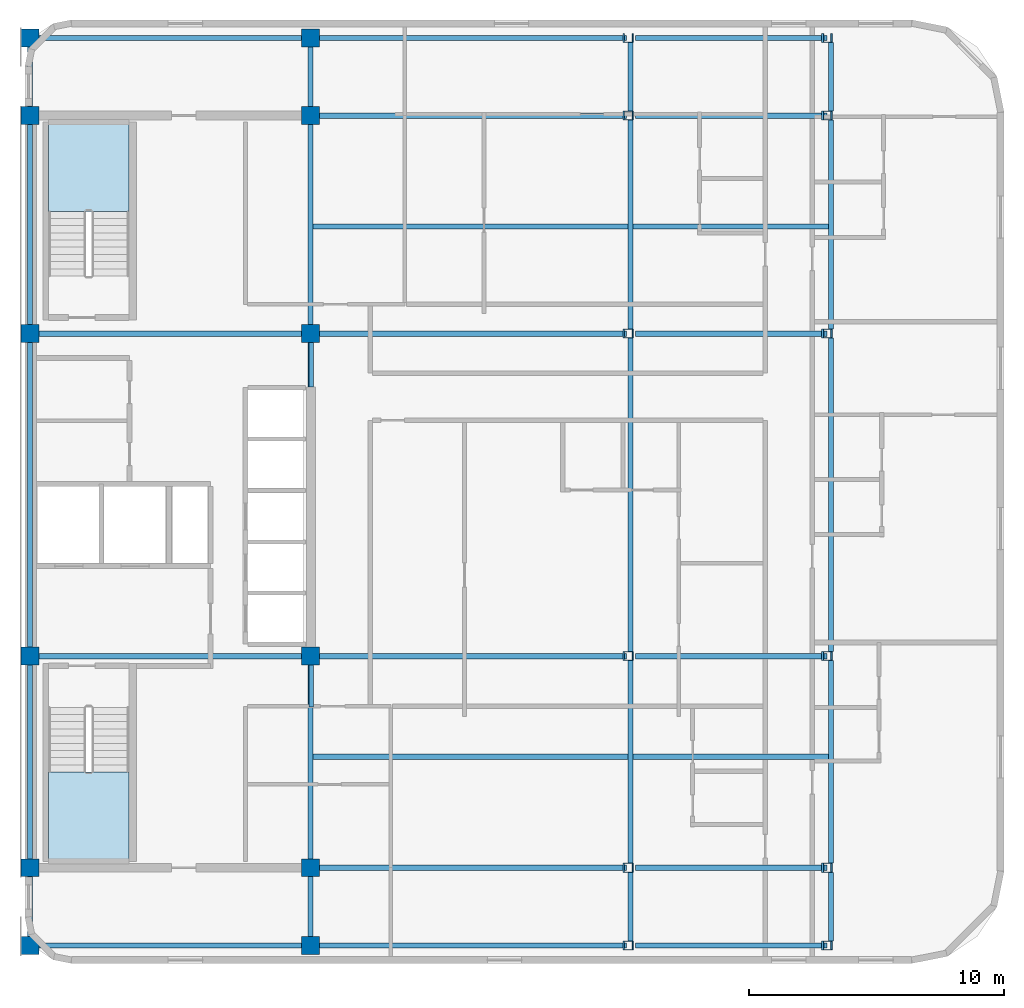
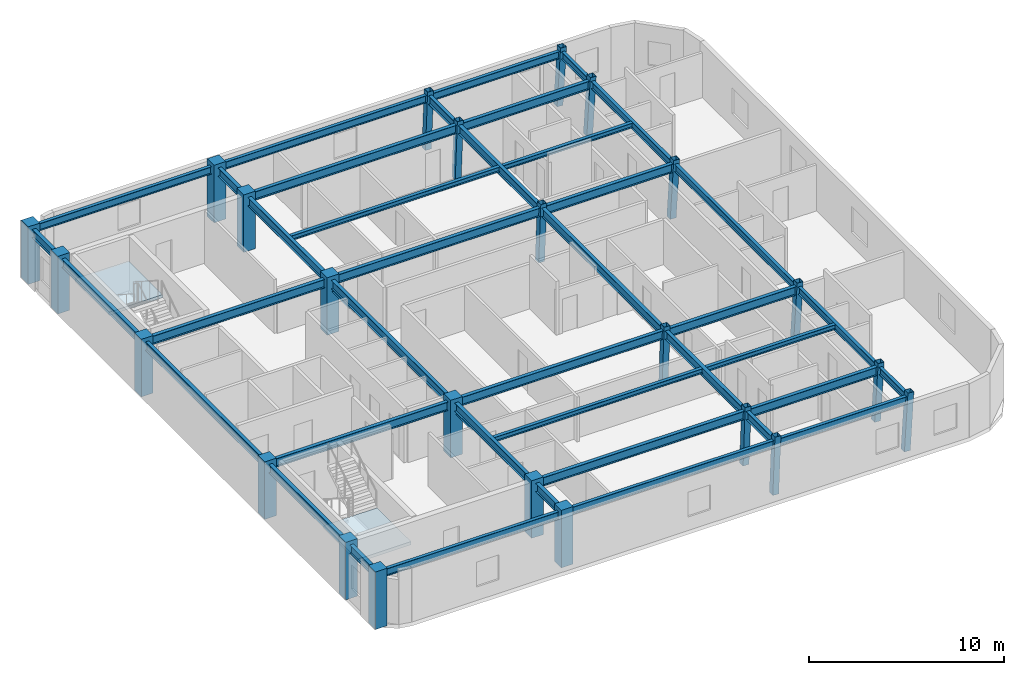
# One storey, part 1 of 6: 42 beams, 24 columns, 2 slabs, 2 elements without a shape of their own.
"""IFC4 building model written with IfcOpenShell, lengths in metres."""

from ifc_helpers import new_model, si_unit, direction, frame, origin, origin_2d, place, context, subcontext, project, spatial, polyline, rectangle, hollow_rectangle, i_section, outline, extrude, material, layer, layer_set, material_profile, profile_set, type_object, element, aggregate, save


model = new_model("IFC4")

# Units and contexts
model_context = context("Model", 3, precision=1e-05, world=origin(), true_north=direction((0.0, 1.0)))
body_context = subcontext(model_context, "Body", "Model", "MODEL_VIEW")
ifc_project = project(units=[si_unit("LENGTHUNIT", "METRE"), si_unit("AREAUNIT", "SQUARE_METRE"), si_unit("VOLUMEUNIT", "CUBIC_METRE"), si_unit("PLANEANGLEUNIT", "RADIAN"), si_unit("MASSUNIT", "GRAM", prefix="KILO")], contexts=[model_context])

# Site, building, storey
site_placement = place(None, origin())
site = spatial("IfcSite", under=ifc_project, at=site_placement, CompositionType="ELEMENT")
building_placement = place(site_placement, origin())
building = spatial("IfcBuilding", under=site, at=building_placement, Name="Ochreholt Gables", CompositionType="ELEMENT")
storey_placement = place(building_placement, frame((0.0, 0.0, 220.199951171875)))
storey = spatial("IfcBuildingStorey", under=building, at=storey_placement, Name="L57", CompositionType="ELEMENT", Elevation=220.199951171875)

# Columns
ifc_material_1 = material(Name="Steel CSA G40.21 350W", Category="steel")
ifc_material_profile_1 = material_profile(ifc_material_1, hollow_rectangle(XDim=0.35595703125, YDim=0.35595703125, WallThickness=0.01611328125, at=origin_2d()), Name="HSS356X356X16")
ifc_profile_set_1 = profile_set([ifc_material_profile_1], Name="Steel CSA G40.21 350W")
column_type_1 = type_object("IfcColumnType", Name="COL-HSS356-RAK", PredefinedType="COLUMN", material=ifc_profile_set_1)
for number, where, z_axis, x_axis, name in (
    (1, (47.64306640625, 9.25, 0.0), (0.034971136209, 0.0, 0.999388322742), (0.0, 1.0, 0.0), "L57 Column EMY2"),
    (2, (47.64306640625, 17.550048828125, 0.0), (0.034971136209, 0.0, 0.999388322742), (0.0, 1.0, 0.0), "L57 Column EMY3"),
    (3, (47.64306640625, 30.199951171875, 0.0), (0.034971136209, 0.0, 0.999388322742), (0.0, 1.0, 0.0), "L57 Column EMY4"),
    (4, (47.64306640625, 38.75, 0.0), (0.034971136209, 0.0, 0.999388322742), (0.0, 1.0, 0.0), "L57 Column EMY5"),
):
    element("IfcColumn", number, at=place(storey_placement, frame(where, z_axis=z_axis, x_axis=x_axis)), inside=storey, type_object=column_type_1, Name=name, PredefinedType="COLUMN", context=body_context, shape_type="SweptSolid", body=[
        extrude(hollow_rectangle(XDim=0.35595703125, YDim=0.35595703125, WallThickness=0.01611328125, at=origin_2d()), origin(), (0.0, 0.0, 1.0), 3.602294921875),
    ])
ifc_material_profile_2 = material_profile(ifc_material_1, hollow_rectangle(XDim=0.35595703125, YDim=0.35595703125, WallThickness=0.01611328125, at=origin_2d()), Name="HSS356X356X16")
ifc_profile_set_2 = profile_set([ifc_material_profile_2], Name="Steel CSA G40.21 350W")
column_type_2 = type_object("IfcColumnType", Name="COL-HSS356-RAKE", PredefinedType="COLUMN", material=ifc_profile_set_2)
for number, where, z_axis, x_axis, name in (
    (5, (47.64306640625, 6.199951171875, 0.0), (0.034971136209, 0.0, 0.999388322742), (0.0, 1.0, 0.0), "L57 Column EMY1"),
    (6, (47.64306640625, 41.800048828125, 0.0), (0.034971136209, 0.0, 0.999388322742), (0.0, 1.0, 0.0), "L57 Column EMY6"),
):
    element("IfcColumn", number, at=place(storey_placement, frame(where, z_axis=z_axis, x_axis=x_axis)), inside=storey, type_object=column_type_2, Name=name, PredefinedType="COLUMN", context=body_context, shape_type="SweptSolid", body=[
        extrude(hollow_rectangle(XDim=0.35595703125, YDim=0.35595703125, WallThickness=0.01611328125, at=origin_2d()), origin(), (0.0, 0.0, 1.0), 3.602294921875),
    ])
for number, where, z_axis, x_axis, name in (
    (7, (55.428466796875, 6.199951171875, 0.0), (0.057884606321, 0.0, 0.998323280481), (0.0, 1.0, 0.0), "L57 Column EEY1"),
    (8, (55.428466796875, 9.25, 0.0), (0.057884606321, 0.0, 0.998323280481), (0.0, 1.0, 0.0), "L57 Column EEY2"),
    (9, (55.428466796875, 17.550048828125, 0.0), (0.057884606321, 0.0, 0.998323280481), (0.0, 1.0, 0.0), "L57 Column EEY3"),
    (10, (55.428466796875, 30.199951171875, 0.0), (0.057884606321, 0.0, 0.998323280481), (0.0, 1.0, 0.0), "L57 Column EEY4"),
    (11, (55.428466796875, 38.75, 0.0), (0.057884606321, 0.0, 0.998323280481), (0.0, 1.0, 0.0), "L57 Column EEY5"),
    (12, (55.428466796875, 41.800048828125, 0.0), (0.057884606321, 0.0, 0.998323280481), (0.0, 1.0, 0.0), "L57 Column EEY6"),
):
    element("IfcColumn", number, at=place(storey_placement, frame(where, z_axis=z_axis, x_axis=x_axis)), inside=storey, type_object=column_type_2, Name=name, PredefinedType="COLUMN", context=body_context, shape_type="SweptSolid", body=[
        extrude(hollow_rectangle(XDim=0.35595703125, YDim=0.35595703125, WallThickness=0.01611328125, at=origin_2d()), origin(), (0.0, 0.0, 1.0), 3.606201171875),
    ])
ifc_material_2 = material(Name="Concrete 50 MPa", Category="concrete")
ifc_material_profile_3 = material_profile(ifc_material_2, rectangle(XDim=0.699951171875, YDim=0.699951171875, at=origin_2d()), Name="RC700X700")
ifc_profile_set_3 = profile_set([ifc_material_profile_3], Name="Concrete 50 MPa")
column_type_3 = type_object("IfcColumnType", Name="COL-RC700-EXT", PredefinedType="COLUMN", material=ifc_profile_set_3)
for number, where, z_axis, x_axis, name in (
    (13, (24.199951171875, 6.199951171875, 0.0), (0.0, 0.0, 1.0), (1.0, 0.0, 0.0), "L57 Column C1Y1"),
    (14, (24.199951171875, 9.25, 0.0), (0.0, 0.0, 1.0), (1.0, 0.0, 0.0), "L57 Column C1Y2"),
    (15, (24.199951171875, 17.550048828125, 0.0), (0.0, 0.0, 1.0), (1.0, 0.0, 0.0), "L57 Column C1Y3"),
    (16, (24.199951171875, 30.199951171875, 0.0), (0.0, 0.0, 1.0), (1.0, 0.0, 0.0), "L57 Column C1Y4"),
    (17, (24.199951171875, 38.75, 0.0), (0.0, 0.0, 1.0), (1.0, 0.0, 0.0), "L57 Column C1Y5"),
    (18, (24.199951171875, 41.800048828125, 0.0), (0.0, 0.0, 1.0), (1.0, 0.0, 0.0), "L57 Column C1Y6"),
    (19, (35.199951171875, 6.199951171875, 0.0), (0.0, 0.0, 1.0), (1.0, 0.0, 0.0), "L57 Column C2Y1"),
    (20, (35.199951171875, 41.800048828125, 0.0), (0.0, 0.0, 1.0), (1.0, 0.0, 0.0), "L57 Column C2Y6"),
):
    element("IfcColumn", number, at=place(storey_placement, frame(where, z_axis=z_axis, x_axis=x_axis)), inside=storey, type_object=column_type_3, Name=name, PredefinedType="COLUMN", context=body_context, shape_type="SweptSolid", body=[
        extrude(rectangle(XDim=0.699951171875, YDim=0.699951171875, at=origin_2d()), origin(), (0.0, 0.0, 1.0), 3.60009765625),
    ])
ifc_material_profile_4 = material_profile(ifc_material_2, rectangle(XDim=0.699951171875, YDim=0.699951171875, at=origin_2d()), Name="RC700X700")
ifc_profile_set_4 = profile_set([ifc_material_profile_4], Name="Concrete 50 MPa")
column_type_4 = type_object("IfcColumnType", Name="COL-RC700-INT", PredefinedType="COLUMN", material=ifc_profile_set_4)
for number, where, z_axis, x_axis, name in (
    (21, (35.199951171875, 9.25, 0.0), (0.0, 0.0, 1.0), (1.0, 0.0, 0.0), "L57 Column C2Y2"),
    (22, (35.199951171875, 17.550048828125, 0.0), (0.0, 0.0, 1.0), (1.0, 0.0, 0.0), "L57 Column C2Y3"),
    (23, (35.199951171875, 30.199951171875, 0.0), (0.0, 0.0, 1.0), (1.0, 0.0, 0.0), "L57 Column C2Y4"),
    (24, (35.199951171875, 38.75, 0.0), (0.0, 0.0, 1.0), (1.0, 0.0, 0.0), "L57 Column C2Y5"),
):
    element("IfcColumn", number, at=place(storey_placement, frame(where, z_axis=z_axis, x_axis=x_axis)), inside=storey, type_object=column_type_4, Name=name, PredefinedType="COLUMN", context=body_context, shape_type="SweptSolid", body=[
        extrude(rectangle(XDim=0.699951171875, YDim=0.699951171875, at=origin_2d()), origin(), (0.0, 0.0, 1.0), 3.60009765625),
    ])

# Beams
ifc_material_profile_5 = material_profile(ifc_material_1, i_section(OverallWidth=0.2109375, OverallDepth=0.5390625, WebThickness=0.01171875, FlangeThickness=0.018798828125, at=origin_2d()), Name="W530X109")
ifc_profile_set_5 = profile_set([ifc_material_profile_5], Name="Steel CSA G40.21 350W")
beam_type_1 = type_object("IfcBeamType", Name="BM-G-W530A", PredefinedType="BEAM", material=ifc_profile_set_5)
beam_1_placement = place(storey_placement, frame((35.549560546875, 9.25, 3.090576171875), z_axis=(1.0, 0.0, 0.0), x_axis=(0.0, 1.0, 0.0)))
element("IfcBeam", 25, at=beam_1_placement, inside=storey, type_object=beam_type_1, Name="L57 Beam TBG-L57-C2EM-Y2", PredefinedType="BEAM", context=body_context, shape_type="SweptSolid", body=[
    extrude(i_section(OverallWidth=0.2109375, OverallDepth=0.5390625, WebThickness=0.01171875, FlangeThickness=0.018798828125, at=origin_2d()), origin(), (0.0, 0.0, 1.0), 12.041748046875),
])
beam_2_placement = place(storey_placement, frame((47.946533203125, 9.25, 3.090576171875), z_axis=(1.0, 0.0, 0.0), x_axis=(0.0, 1.0, 0.0)))
element("IfcBeam", 26, at=beam_2_placement, inside=storey, type_object=beam_type_1, Name="L57 Beam TBG-L57-EMEE-Y2", PredefinedType="BEAM", context=body_context, shape_type="SweptSolid", body=[
    extrude(i_section(OverallWidth=0.2109375, OverallDepth=0.5390625, WebThickness=0.01171875, FlangeThickness=0.018798828125, at=origin_2d()), origin(), (0.0, 0.0, 1.0), 7.51318359375),
])
beam_3_placement = place(storey_placement, frame((24.549560546875, 17.550048828125, 3.090576171875), z_axis=(1.0, 0.0, 0.0), x_axis=(0.0, 1.0, 0.0)))
element("IfcBeam", 27, at=beam_3_placement, inside=storey, type_object=beam_type_1, Name="L57 Beam TBG-L57-C1C2-Y3", PredefinedType="BEAM", context=body_context, shape_type="SweptSolid", body=[
    extrude(i_section(OverallWidth=0.2109375, OverallDepth=0.5390625, WebThickness=0.01171875, FlangeThickness=0.018798828125, at=origin_2d()), origin(), (0.0, 0.0, 1.0), 10.30078125),
])
beam_4_placement = place(storey_placement, frame((35.549560546875, 17.550048828125, 3.090576171875), z_axis=(1.0, 0.0, 0.0), x_axis=(0.0, 1.0, 0.0)))
element("IfcBeam", 28, at=beam_4_placement, inside=storey, type_object=beam_type_1, Name="L57 Beam TBG-L57-C2EM-Y3", PredefinedType="BEAM", context=body_context, shape_type="SweptSolid", body=[
    extrude(i_section(OverallWidth=0.2109375, OverallDepth=0.5390625, WebThickness=0.01171875, FlangeThickness=0.018798828125, at=origin_2d()), origin(), (0.0, 0.0, 1.0), 12.041748046875),
])
beam_5_placement = place(storey_placement, frame((47.946533203125, 17.550048828125, 3.090576171875), z_axis=(1.0, 0.0, 0.0), x_axis=(0.0, 1.0, 0.0)))
element("IfcBeam", 29, at=beam_5_placement, inside=storey, type_object=beam_type_1, Name="L57 Beam TBG-L57-EMEE-Y3", PredefinedType="BEAM", context=body_context, shape_type="SweptSolid", body=[
    extrude(i_section(OverallWidth=0.2109375, OverallDepth=0.5390625, WebThickness=0.01171875, FlangeThickness=0.018798828125, at=origin_2d()), origin(), (0.0, 0.0, 1.0), 7.51318359375),
])
beam_6_placement = place(storey_placement, frame((24.549560546875, 30.199951171875, 3.090576171875), z_axis=(1.0, 0.0, 0.0), x_axis=(0.0, 1.0, 0.0)))
element("IfcBeam", 30, at=beam_6_placement, inside=storey, type_object=beam_type_1, Name="L57 Beam TBG-L57-C1C2-Y4", PredefinedType="BEAM", context=body_context, shape_type="SweptSolid", body=[
    extrude(i_section(OverallWidth=0.2109375, OverallDepth=0.5390625, WebThickness=0.01171875, FlangeThickness=0.018798828125, at=origin_2d()), origin(), (0.0, 0.0, 1.0), 10.30078125),
])
beam_7_placement = place(storey_placement, frame((35.549560546875, 30.199951171875, 3.090576171875), z_axis=(1.0, 0.0, 0.0), x_axis=(0.0, 1.0, 0.0)))
element("IfcBeam", 31, at=beam_7_placement, inside=storey, type_object=beam_type_1, Name="L57 Beam TBG-L57-C2EM-Y4", PredefinedType="BEAM", context=body_context, shape_type="SweptSolid", body=[
    extrude(i_section(OverallWidth=0.2109375, OverallDepth=0.5390625, WebThickness=0.01171875, FlangeThickness=0.018798828125, at=origin_2d()), origin(), (0.0, 0.0, 1.0), 12.041748046875),
])
beam_8_placement = place(storey_placement, frame((47.946533203125, 30.199951171875, 3.090576171875), z_axis=(1.0, 0.0, 0.0), x_axis=(0.0, 1.0, 0.0)))
element("IfcBeam", 32, at=beam_8_placement, inside=storey, type_object=beam_type_1, Name="L57 Beam TBG-L57-EMEE-Y4", PredefinedType="BEAM", context=body_context, shape_type="SweptSolid", body=[
    extrude(i_section(OverallWidth=0.2109375, OverallDepth=0.5390625, WebThickness=0.01171875, FlangeThickness=0.018798828125, at=origin_2d()), origin(), (0.0, 0.0, 1.0), 7.51318359375),
])
beam_9_placement = place(storey_placement, frame((35.549560546875, 38.75, 3.090576171875), z_axis=(1.0, 0.0, 0.0), x_axis=(0.0, 1.0, 0.0)))
element("IfcBeam", 33, at=beam_9_placement, inside=storey, type_object=beam_type_1, Name="L57 Beam TBG-L57-C2EM-Y5", PredefinedType="BEAM", context=body_context, shape_type="SweptSolid", body=[
    extrude(i_section(OverallWidth=0.2109375, OverallDepth=0.5390625, WebThickness=0.01171875, FlangeThickness=0.018798828125, at=origin_2d()), origin(), (0.0, 0.0, 1.0), 12.041748046875),
])
beam_10_placement = place(storey_placement, frame((47.946533203125, 38.75, 3.090576171875), z_axis=(1.0, 0.0, 0.0), x_axis=(0.0, 1.0, 0.0)))
element("IfcBeam", 34, at=beam_10_placement, inside=storey, type_object=beam_type_1, Name="L57 Beam TBG-L57-EMEE-Y5", PredefinedType="BEAM", context=body_context, shape_type="SweptSolid", body=[
    extrude(i_section(OverallWidth=0.2109375, OverallDepth=0.5390625, WebThickness=0.01171875, FlangeThickness=0.018798828125, at=origin_2d()), origin(), (0.0, 0.0, 1.0), 7.51318359375),
])
beam_11_placement = place(storey_placement, frame((24.199951171875, 6.549560546875, 3.090576171875), z_axis=(0.0, 1.0, 0.0), x_axis=(-1.0, 0.0, 0.0)))
element("IfcBeam", 35, at=beam_11_placement, inside=storey, type_object=beam_type_1, Name="L57 Beam TBN-L57-C1-Y1Y2", PredefinedType="BEAM", context=body_context, shape_type="SweptSolid", body=[
    extrude(i_section(OverallWidth=0.2109375, OverallDepth=0.5390625, WebThickness=0.01171875, FlangeThickness=0.018798828125, at=origin_2d()), origin(), (0.0, 0.0, 1.0), 2.350830078125),
])
beam_12_placement = place(storey_placement, frame((24.199951171875, 9.599609375, 3.090576171875), z_axis=(0.0, 1.0, 0.0), x_axis=(-1.0, 0.0, 0.0)))
element("IfcBeam", 36, at=beam_12_placement, inside=storey, type_object=beam_type_1, Name="L57 Beam TBN-L57-C1-Y2Y3", PredefinedType="BEAM", context=body_context, shape_type="SweptSolid", body=[
    extrude(i_section(OverallWidth=0.2109375, OverallDepth=0.5390625, WebThickness=0.01171875, FlangeThickness=0.018798828125, at=origin_2d()), origin(), (0.0, 0.0, 1.0), 7.600830078125),
])
beam_13_placement = place(storey_placement, frame((24.199951171875, 17.899658203125, 3.090576171875), z_axis=(0.0, 1.0, 0.0), x_axis=(-1.0, 0.0, 0.0)))
element("IfcBeam", 37, at=beam_13_placement, inside=storey, type_object=beam_type_1, Name="L57 Beam TBN-L57-C1-Y3Y4", PredefinedType="BEAM", context=body_context, shape_type="SweptSolid", body=[
    extrude(i_section(OverallWidth=0.2109375, OverallDepth=0.5390625, WebThickness=0.01171875, FlangeThickness=0.018798828125, at=origin_2d()), origin(), (0.0, 0.0, 1.0), 11.95068359375),
])
beam_14_placement = place(storey_placement, frame((24.199951171875, 30.549560546875, 3.090576171875), z_axis=(0.0, 1.0, 0.0), x_axis=(-1.0, 0.0, 0.0)))
element("IfcBeam", 38, at=beam_14_placement, inside=storey, type_object=beam_type_1, Name="L57 Beam TBN-L57-C1-Y4Y5", PredefinedType="BEAM", context=body_context, shape_type="SweptSolid", body=[
    extrude(i_section(OverallWidth=0.2109375, OverallDepth=0.5390625, WebThickness=0.01171875, FlangeThickness=0.018798828125, at=origin_2d()), origin(), (0.0, 0.0, 1.0), 7.850830078125),
])
for number, where, z_axis, x_axis, name in (
    (39, (24.199951171875, 39.099609375, 3.090576171875), (0.0, 1.0, 0.0), (-1.0, 0.0, 0.0), "L57 Beam TBN-L57-C1-Y5Y6"),
    (40, (35.199951171875, 6.549560546875, 3.090576171875), (0.0, 1.0, 0.0), (-1.0, 0.0, 0.0), "L57 Beam TBN-L57-C2-Y1Y2"),
):
    element("IfcBeam", number, at=place(storey_placement, frame(where, z_axis=z_axis, x_axis=x_axis)), inside=storey, type_object=beam_type_1, Name=name, PredefinedType="BEAM", context=body_context, shape_type="SweptSolid", body=[
        extrude(i_section(OverallWidth=0.2109375, OverallDepth=0.5390625, WebThickness=0.01171875, FlangeThickness=0.018798828125, at=origin_2d()), origin(), (0.0, 0.0, 1.0), 2.350830078125),
    ])
beam_15_placement = place(storey_placement, frame((35.199951171875, 9.599609375, 3.090576171875), z_axis=(0.0, 1.0, 0.0), x_axis=(-1.0, 0.0, 0.0)))
element("IfcBeam", 41, at=beam_15_placement, inside=storey, type_object=beam_type_1, Name="L57 Beam TBN-L57-C2-Y2Y3", PredefinedType="BEAM", context=body_context, shape_type="SweptSolid", body=[
    extrude(i_section(OverallWidth=0.2109375, OverallDepth=0.5390625, WebThickness=0.01171875, FlangeThickness=0.018798828125, at=origin_2d()), origin(), (0.0, 0.0, 1.0), 7.600830078125),
])
beam_16_placement = place(storey_placement, frame((35.199951171875, 17.899658203125, 3.090576171875), z_axis=(0.0, 1.0, 0.0), x_axis=(-1.0, 0.0, 0.0)))
element("IfcBeam", 42, at=beam_16_placement, inside=storey, type_object=beam_type_1, Name="L57 Beam TBN-L57-C2-Y3Y4", PredefinedType="BEAM", context=body_context, shape_type="SweptSolid", body=[
    extrude(i_section(OverallWidth=0.2109375, OverallDepth=0.5390625, WebThickness=0.01171875, FlangeThickness=0.018798828125, at=origin_2d()), origin(), (0.0, 0.0, 1.0), 11.95068359375),
])
beam_17_placement = place(storey_placement, frame((35.199951171875, 30.549560546875, 3.090576171875), z_axis=(0.0, 1.0, 0.0), x_axis=(-1.0, 0.0, 0.0)))
element("IfcBeam", 43, at=beam_17_placement, inside=storey, type_object=beam_type_1, Name="L57 Beam TBN-L57-C2-Y4Y5", PredefinedType="BEAM", context=body_context, shape_type="SweptSolid", body=[
    extrude(i_section(OverallWidth=0.2109375, OverallDepth=0.5390625, WebThickness=0.01171875, FlangeThickness=0.018798828125, at=origin_2d()), origin(), (0.0, 0.0, 1.0), 7.850830078125),
])
beam_18_placement = place(storey_placement, frame((35.199951171875, 39.099609375, 3.090576171875), z_axis=(0.0, 1.0, 0.0), x_axis=(-1.0, 0.0, 0.0)))
element("IfcBeam", 44, at=beam_18_placement, inside=storey, type_object=beam_type_1, Name="L57 Beam TBN-L57-C2-Y5Y6", PredefinedType="BEAM", context=body_context, shape_type="SweptSolid", body=[
    extrude(i_section(OverallWidth=0.2109375, OverallDepth=0.5390625, WebThickness=0.01171875, FlangeThickness=0.018798828125, at=origin_2d()), origin(), (0.0, 0.0, 1.0), 2.350830078125),
])
beam_19_placement = place(storey_placement, frame((47.751708984375, 6.377685546875, 3.090576171875), z_axis=(0.0, 1.0, 0.0), x_axis=(-1.0, 0.0, 0.0)))
element("IfcBeam", 45, at=beam_19_placement, inside=storey, type_object=beam_type_1, Name="L57 Beam TBN-L57-EM-Y1Y2", PredefinedType="BEAM", context=body_context, shape_type="SweptSolid", body=[
    extrude(i_section(OverallWidth=0.2109375, OverallDepth=0.5390625, WebThickness=0.01171875, FlangeThickness=0.018798828125, at=origin_2d()), origin(), (0.0, 0.0, 1.0), 2.69482421875),
])
beam_20_placement = place(storey_placement, frame((47.751708984375, 9.427490234375, 3.090576171875), z_axis=(0.0, 1.0, 0.0), x_axis=(-1.0, 0.0, 0.0)))
element("IfcBeam", 46, at=beam_20_placement, inside=storey, type_object=beam_type_1, Name="L57 Beam TBN-L57-EM-Y2Y3", PredefinedType="BEAM", context=body_context, shape_type="SweptSolid", body=[
    extrude(i_section(OverallWidth=0.2109375, OverallDepth=0.5390625, WebThickness=0.01171875, FlangeThickness=0.018798828125, at=origin_2d()), origin(), (0.0, 0.0, 1.0), 7.94482421875),
])
beam_21_placement = place(storey_placement, frame((47.751708984375, 17.7275390625, 3.090576171875), z_axis=(0.0, 1.0, 0.0), x_axis=(-1.0, 0.0, 0.0)))
element("IfcBeam", 47, at=beam_21_placement, inside=storey, type_object=beam_type_1, Name="L57 Beam TBN-L57-EM-Y3Y4", PredefinedType="BEAM", context=body_context, shape_type="SweptSolid", body=[
    extrude(i_section(OverallWidth=0.2109375, OverallDepth=0.5390625, WebThickness=0.01171875, FlangeThickness=0.018798828125, at=origin_2d()), origin(), (0.0, 0.0, 1.0), 12.294921875),
])
beam_22_placement = place(storey_placement, frame((47.751708984375, 30.377685546875, 3.090576171875), z_axis=(0.0, 1.0, 0.0), x_axis=(-1.0, 0.0, 0.0)))
element("IfcBeam", 48, at=beam_22_placement, inside=storey, type_object=beam_type_1, Name="L57 Beam TBN-L57-EM-Y4Y5", PredefinedType="BEAM", context=body_context, shape_type="SweptSolid", body=[
    extrude(i_section(OverallWidth=0.2109375, OverallDepth=0.5390625, WebThickness=0.01171875, FlangeThickness=0.018798828125, at=origin_2d()), origin(), (0.0, 0.0, 1.0), 8.19482421875),
])
beam_23_placement = place(storey_placement, frame((47.751708984375, 38.927490234375, 3.090576171875), z_axis=(0.0, 1.0, 0.0), x_axis=(-1.0, 0.0, 0.0)))
element("IfcBeam", 49, at=beam_23_placement, inside=storey, type_object=beam_type_1, Name="L57 Beam TBN-L57-EM-Y5Y6", PredefinedType="BEAM", context=body_context, shape_type="SweptSolid", body=[
    extrude(i_section(OverallWidth=0.2109375, OverallDepth=0.5390625, WebThickness=0.01171875, FlangeThickness=0.018798828125, at=origin_2d()), origin(), (0.0, 0.0, 1.0), 2.69482421875),
])
ifc_material_profile_6 = material_profile(ifc_material_1, i_section(OverallWidth=0.202880859375, OverallDepth=0.302978515625, WebThickness=0.007568359375, FlangeThickness=0.01318359375, at=origin_2d()), Name="W310X60")
ifc_profile_set_6 = profile_set([ifc_material_profile_6], Name="Steel CSA G40.21 350W")
beam_type_2 = type_object("IfcBeamType", Name="BM-J-W310", PredefinedType="JOIST", material=ifc_profile_set_6)
beam_24_placement = place(storey_placement, frame((35.30517578125, 13.60009765625, 3.20849609375), z_axis=(1.0, 0.0, 0.0), x_axis=(0.0, 1.0, 0.0)))
element("IfcBeam", 50, at=beam_24_placement, inside=storey, type_object=beam_type_2, Name="L57 Beam TBJ-L57-J1-C2EM", PredefinedType="JOIST", context=body_context, shape_type="SweptSolid", body=[
    extrude(i_section(OverallWidth=0.202880859375, OverallDepth=0.302978515625, WebThickness=0.007568359375, FlangeThickness=0.01318359375, at=origin_2d()), origin(), (0.0, 0.0, 1.0), 12.341552734375),
])
beam_25_placement = place(storey_placement, frame((47.85693359375, 13.60009765625, 3.20849609375), z_axis=(1.0, 0.0, 0.0), x_axis=(0.0, 1.0, 0.0)))
element("IfcBeam", 51, at=beam_25_placement, inside=storey, type_object=beam_type_2, Name="L57 Beam TBJ-L57-J1-EMEE", PredefinedType="JOIST", context=body_context, shape_type="SweptSolid", body=[
    extrude(i_section(OverallWidth=0.202880859375, OverallDepth=0.302978515625, WebThickness=0.007568359375, FlangeThickness=0.01318359375, at=origin_2d()), origin(), (0.0, 0.0, 1.0), 7.65625),
])
beam_26_placement = place(storey_placement, frame((35.30517578125, 34.39990234375, 3.20849609375), z_axis=(1.0, 0.0, 0.0), x_axis=(0.0, 1.0, 0.0)))
element("IfcBeam", 52, at=beam_26_placement, inside=storey, type_object=beam_type_2, Name="L57 Beam TBJ-L57-J2-C2EM", PredefinedType="JOIST", context=body_context, shape_type="SweptSolid", body=[
    extrude(i_section(OverallWidth=0.202880859375, OverallDepth=0.302978515625, WebThickness=0.007568359375, FlangeThickness=0.01318359375, at=origin_2d()), origin(), (0.0, 0.0, 1.0), 12.341552734375),
])
beam_27_placement = place(storey_placement, frame((47.85693359375, 34.39990234375, 3.20849609375), z_axis=(1.0, 0.0, 0.0), x_axis=(0.0, 1.0, 0.0)))
element("IfcBeam", 53, at=beam_27_placement, inside=storey, type_object=beam_type_2, Name="L57 Beam TBJ-L57-J2-EMEE", PredefinedType="JOIST", context=body_context, shape_type="SweptSolid", body=[
    extrude(i_section(OverallWidth=0.202880859375, OverallDepth=0.302978515625, WebThickness=0.007568359375, FlangeThickness=0.01318359375, at=origin_2d()), origin(), (0.0, 0.0, 1.0), 7.65625),
])
ifc_material_profile_7 = material_profile(ifc_material_1, i_section(OverallWidth=0.1650390625, OverallDepth=0.200927734375, WebThickness=0.006103515625, FlangeThickness=0.01025390625, at=origin_2d()), Name="W200X36")
ifc_profile_set_7 = profile_set([ifc_material_profile_7], Name="Steel CSA G40.21 350W")
beam_type_3 = type_object("IfcBeamType", Name="BM-LIN-W200", PredefinedType="LINTEL", material=ifc_profile_set_7)
beam_28_placement = place(storey_placement, frame((35.22509765625, 15.550048828125, 2.720458984375), z_axis=(0.0, 1.0, 0.0), x_axis=(-1.0, 0.0, 0.0)))
element("IfcBeam", 54, at=beam_28_placement, inside=storey, type_object=beam_type_3, Name="L57 Core Coupling Lintel CPS", PredefinedType="LINTEL", context=body_context, shape_type="SweptSolid", body=[
    extrude(i_section(OverallWidth=0.1650390625, OverallDepth=0.200927734375, WebThickness=0.006103515625, FlangeThickness=0.01025390625, at=origin_2d()), origin(), (0.0, 0.0, 1.0), 1.64990234375),
])
beam_29_placement = place(storey_placement, frame((35.22509765625, 28.10009765625, 2.720458984375), z_axis=(0.0, 1.0, 0.0), x_axis=(-1.0, 0.0, 0.0)))
element("IfcBeam", 55, at=beam_29_placement, inside=storey, type_object=beam_type_3, Name="L57 Core Coupling Lintel CPN", PredefinedType="LINTEL", context=body_context, shape_type="SweptSolid", body=[
    extrude(i_section(OverallWidth=0.1650390625, OverallDepth=0.200927734375, WebThickness=0.006103515625, FlangeThickness=0.01025390625, at=origin_2d()), origin(), (0.0, 0.0, 1.0), 1.75),
])
ifc_material_profile_8 = material_profile(ifc_material_1, i_section(OverallWidth=0.19189453125, OverallDepth=0.462890625, WebThickness=0.010498046875, FlangeThickness=0.017578125, at=origin_2d()), Name="W460X89")
ifc_profile_set_8 = profile_set([ifc_material_profile_8], Name="Steel CSA G40.21 350W")
beam_type_4 = type_object("IfcBeamType", Name="BM-SP-W460A", PredefinedType="SPANDREL", material=ifc_profile_set_8)
beam_30_placement = place(storey_placement, frame((24.549560546875, 6.199951171875, 3.128662109375), z_axis=(1.0, 0.0, 0.0), x_axis=(0.0, 1.0, 0.0)))
element("IfcBeam", 56, at=beam_30_placement, inside=storey, type_object=beam_type_4, Name="L57 Beam TBG-L57-C1C2-Y1", PredefinedType="SPANDREL", context=body_context, shape_type="SweptSolid", body=[
    extrude(i_section(OverallWidth=0.19189453125, OverallDepth=0.462890625, WebThickness=0.010498046875, FlangeThickness=0.017578125, at=origin_2d()), origin(), (0.0, 0.0, 1.0), 10.30078125),
])
beam_31_placement = place(storey_placement, frame((35.549560546875, 6.199951171875, 3.128662109375), z_axis=(1.0, 0.0, 0.0), x_axis=(0.0, 1.0, 0.0)))
element("IfcBeam", 57, at=beam_31_placement, inside=storey, type_object=beam_type_4, Name="L57 Beam TBG-L57-C2EM-Y1", PredefinedType="SPANDREL", context=body_context, shape_type="SweptSolid", body=[
    extrude(i_section(OverallWidth=0.19189453125, OverallDepth=0.462890625, WebThickness=0.010498046875, FlangeThickness=0.017578125, at=origin_2d()), origin(), (0.0, 0.0, 1.0), 12.041748046875),
])
beam_32_placement = place(storey_placement, frame((47.946533203125, 6.199951171875, 3.128662109375), z_axis=(1.0, 0.0, 0.0), x_axis=(0.0, 1.0, 0.0)))
element("IfcBeam", 58, at=beam_32_placement, inside=storey, type_object=beam_type_4, Name="L57 Beam TBG-L57-EMEE-Y1", PredefinedType="SPANDREL", context=body_context, shape_type="SweptSolid", body=[
    extrude(i_section(OverallWidth=0.19189453125, OverallDepth=0.462890625, WebThickness=0.010498046875, FlangeThickness=0.017578125, at=origin_2d()), origin(), (0.0, 0.0, 1.0), 7.51318359375),
])
beam_33_placement = place(storey_placement, frame((24.549560546875, 41.800048828125, 3.128662109375), z_axis=(1.0, 0.0, 0.0), x_axis=(0.0, 1.0, 0.0)))
element("IfcBeam", 59, at=beam_33_placement, inside=storey, type_object=beam_type_4, Name="L57 Beam TBG-L57-C1C2-Y6", PredefinedType="SPANDREL", context=body_context, shape_type="SweptSolid", body=[
    extrude(i_section(OverallWidth=0.19189453125, OverallDepth=0.462890625, WebThickness=0.010498046875, FlangeThickness=0.017578125, at=origin_2d()), origin(), (0.0, 0.0, 1.0), 10.30078125),
])
beam_34_placement = place(storey_placement, frame((35.549560546875, 41.800048828125, 3.128662109375), z_axis=(1.0, 0.0, 0.0), x_axis=(0.0, 1.0, 0.0)))
element("IfcBeam", 60, at=beam_34_placement, inside=storey, type_object=beam_type_4, Name="L57 Beam TBG-L57-C2EM-Y6", PredefinedType="SPANDREL", context=body_context, shape_type="SweptSolid", body=[
    extrude(i_section(OverallWidth=0.19189453125, OverallDepth=0.462890625, WebThickness=0.010498046875, FlangeThickness=0.017578125, at=origin_2d()), origin(), (0.0, 0.0, 1.0), 12.041748046875),
])
beam_35_placement = place(storey_placement, frame((47.946533203125, 41.800048828125, 3.128662109375), z_axis=(1.0, 0.0, 0.0), x_axis=(0.0, 1.0, 0.0)))
element("IfcBeam", 61, at=beam_35_placement, inside=storey, type_object=beam_type_4, Name="L57 Beam TBG-L57-EMEE-Y6", PredefinedType="SPANDREL", context=body_context, shape_type="SweptSolid", body=[
    extrude(i_section(OverallWidth=0.19189453125, OverallDepth=0.462890625, WebThickness=0.010498046875, FlangeThickness=0.017578125, at=origin_2d()), origin(), (0.0, 0.0, 1.0), 7.51318359375),
])
beam_36_placement = place(storey_placement, frame((55.60888671875, 6.377685546875, 3.128662109375), z_axis=(0.0, 1.0, 0.0), x_axis=(-1.0, 0.0, 0.0)))
element("IfcBeam", 62, at=beam_36_placement, inside=storey, type_object=beam_type_4, Name="L57 Beam TBN-L57-EE-Y1Y2", PredefinedType="SPANDREL", context=body_context, shape_type="SweptSolid", body=[
    extrude(i_section(OverallWidth=0.19189453125, OverallDepth=0.462890625, WebThickness=0.010498046875, FlangeThickness=0.017578125, at=origin_2d()), origin(), (0.0, 0.0, 1.0), 2.69482421875),
])
beam_37_placement = place(storey_placement, frame((55.60888671875, 9.427490234375, 3.128662109375), z_axis=(0.0, 1.0, 0.0), x_axis=(-1.0, 0.0, 0.0)))
element("IfcBeam", 63, at=beam_37_placement, inside=storey, type_object=beam_type_4, Name="L57 Beam TBN-L57-EE-Y2Y3", PredefinedType="SPANDREL", context=body_context, shape_type="SweptSolid", body=[
    extrude(i_section(OverallWidth=0.19189453125, OverallDepth=0.462890625, WebThickness=0.010498046875, FlangeThickness=0.017578125, at=origin_2d()), origin(), (0.0, 0.0, 1.0), 7.94482421875),
])
beam_38_placement = place(storey_placement, frame((55.60888671875, 17.7275390625, 3.128662109375), z_axis=(0.0, 1.0, 0.0), x_axis=(-1.0, 0.0, 0.0)))
element("IfcBeam", 64, at=beam_38_placement, inside=storey, type_object=beam_type_4, Name="L57 Beam TBN-L57-EE-Y3Y4", PredefinedType="SPANDREL", context=body_context, shape_type="SweptSolid", body=[
    extrude(i_section(OverallWidth=0.19189453125, OverallDepth=0.462890625, WebThickness=0.010498046875, FlangeThickness=0.017578125, at=origin_2d()), origin(), (0.0, 0.0, 1.0), 12.294921875),
])
beam_39_placement = place(storey_placement, frame((55.60888671875, 30.377685546875, 3.128662109375), z_axis=(0.0, 1.0, 0.0), x_axis=(-1.0, 0.0, 0.0)))
element("IfcBeam", 65, at=beam_39_placement, inside=storey, type_object=beam_type_4, Name="L57 Beam TBN-L57-EE-Y4Y5", PredefinedType="SPANDREL", context=body_context, shape_type="SweptSolid", body=[
    extrude(i_section(OverallWidth=0.19189453125, OverallDepth=0.462890625, WebThickness=0.010498046875, FlangeThickness=0.017578125, at=origin_2d()), origin(), (0.0, 0.0, 1.0), 8.19482421875),
])
beam_40_placement = place(storey_placement, frame((55.60888671875, 38.927490234375, 3.128662109375), z_axis=(0.0, 1.0, 0.0), x_axis=(-1.0, 0.0, 0.0)))
element("IfcBeam", 66, at=beam_40_placement, inside=storey, type_object=beam_type_4, Name="L57 Beam TBN-L57-EE-Y5Y6", PredefinedType="SPANDREL", context=body_context, shape_type="SweptSolid", body=[
    extrude(i_section(OverallWidth=0.19189453125, OverallDepth=0.462890625, WebThickness=0.010498046875, FlangeThickness=0.017578125, at=origin_2d()), origin(), (0.0, 0.0, 1.0), 2.69482421875),
])

# Stair, slab
ifc_material_3 = material(Name="Concrete 40 MPa", Category="concrete")
stair_type_1 = type_object("IfcStairType", Name="STAIR-CORE-ST-1", PredefinedType="HALF_TURN_STAIR", material=ifc_material_3)
stair_1_placement = place(storey_placement, origin())
stair_1 = element("IfcStair", 67, at=stair_1_placement, inside=storey, type_object=stair_type_1, Name="L57 Core Exit Stair 1", PredefinedType="HALF_TURN_STAIR")
ifc_layer = layer(ifc_material_3, 0.199951171875, Name="Concrete 40 MPa")
ifc_layer_set = layer_set([ifc_layer], Name="Concrete 40 MPa")
slab_type = type_object("IfcSlabType", Name="LANDING-RC200", PredefinedType="LANDING", material=ifc_layer_set)
slab_1_placement = place(storey_placement, frame((0.0, 0.0, 1.60009765625)))
slab_1 = element("IfcSlab", 68, at=slab_1_placement, type_object=slab_type, Name="ST-1 landing 1", PredefinedType="LANDING", context=body_context, shape_type="SweptSolid", body=[
    extrude(outline(polyline([(24.919921875, 13.001953125), (24.919921875, 9.52001953125), (28.080078125, 9.52001953125), (28.080078125, 13.001953125), (24.919921875, 13.001953125)])), origin(), (0.0, 0.0, 1.0), 0.199951171875),
])
aggregate(stair_1, [slab_1])

stair_type_2 = type_object("IfcStairType", Name="STAIR-CORE-ST-2", PredefinedType="HALF_TURN_STAIR", material=ifc_material_3)
stair_2_placement = place(storey_placement, origin())
stair_2 = element("IfcStair", 69, at=stair_2_placement, inside=storey, type_object=stair_type_2, Name="L57 Core Exit Stair 2", PredefinedType="HALF_TURN_STAIR")
slab_2_placement = place(storey_placement, frame((0.0, 0.0, 1.60009765625)))
slab_2 = element("IfcSlab", 70, at=slab_2_placement, type_object=slab_type, Name="ST-2 landing 1", PredefinedType="LANDING", context=body_context, shape_type="SweptSolid", body=[
    extrude(outline(polyline([(28.080078125, 34.998046875), (28.080078125, 38.47998046875), (24.919921875, 38.47998046875), (24.919921875, 34.998046875), (28.080078125, 34.998046875)])), origin(), (0.0, 0.0, 1.0), 0.199951171875),
])
aggregate(stair_2, [slab_2])

save(model, "model.ifc")
